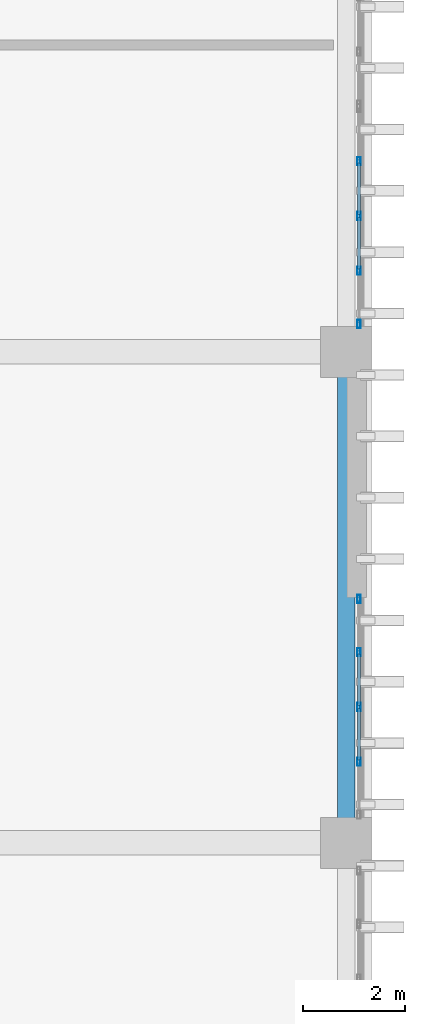
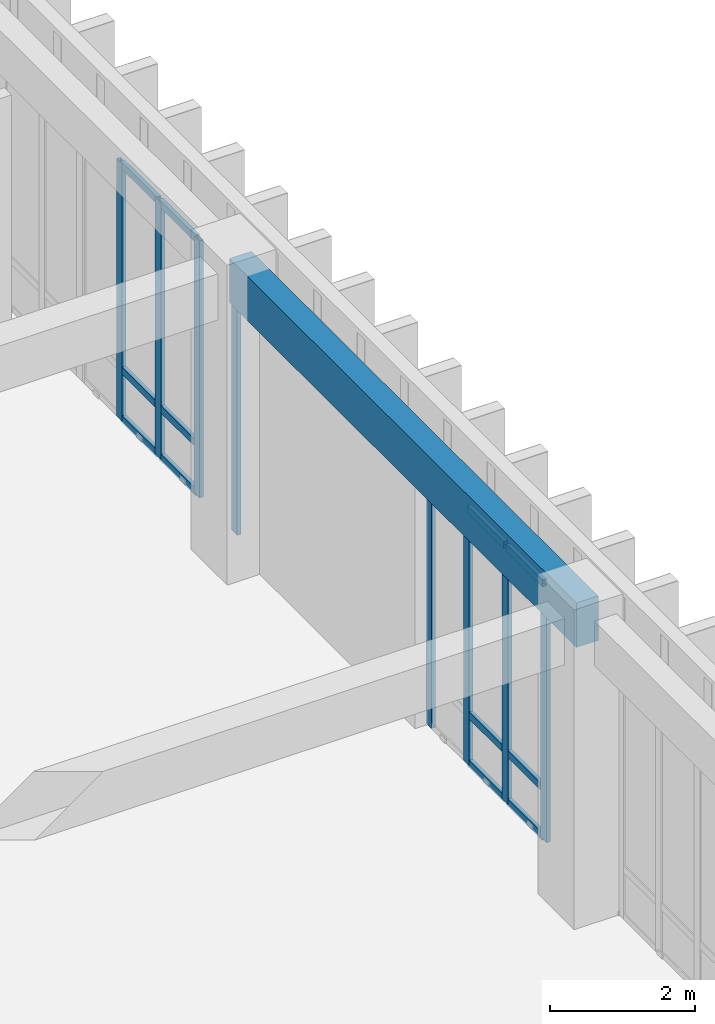
# One storey, part 74 of 134: 20 members, 1 beam, 2 elements without a shape of their own.
"""IFC4 building model written with IfcOpenShell, lengths in metres."""

from ifc_helpers import new_model, si_unit, direction, frame, origin, origin_2d, place, context, subcontext, project, spatial, rectangle, hollow_rectangle, extrude, material, layer, layer_set, material_profile, profile_set, type_object, element, aggregate, save


model = new_model("IFC4")

# Units and contexts
model_context = context("Model", 3, precision=1e-05, world=origin(), true_north=direction((0.0, 1.0)))
body_context = subcontext(model_context, "Body", "Model", "MODEL_VIEW")
ifc_project = project(units=[si_unit("LENGTHUNIT", "METRE"), si_unit("AREAUNIT", "SQUARE_METRE"), si_unit("VOLUMEUNIT", "CUBIC_METRE"), si_unit("PLANEANGLEUNIT", "RADIAN"), si_unit("MASSUNIT", "GRAM", prefix="KILO")], contexts=[model_context])

# Site, building, storey
site_placement = place(None, origin())
site = spatial("IfcSite", under=ifc_project, at=site_placement, CompositionType="ELEMENT")
building_placement = place(site_placement, origin())
building = spatial("IfcBuilding", under=site, at=building_placement, Name="Nakhvara Creek Congress Hotel", CompositionType="ELEMENT")
storey_placement = place(building_placement, frame((0.0, 0.0, 6.0)))
storey = spatial("IfcBuildingStorey", under=building, at=storey_placement, Name="L01", CompositionType="ELEMENT", Elevation=6.0)

# Beam
ifc_material_1 = material(Name="Concrete C40/50", Category="concrete")
ifc_material_profile_1 = material_profile(ifc_material_1, rectangle(XDim=0.35009765625, YDim=0.75, at=origin_2d()), Name="RC-SPANDREL 350x750", Category="LoadBearing")
ifc_profile_set_1 = profile_set([ifc_material_profile_1], Name="Concrete C40/50")
beam_type = type_object("IfcBeamType", Name="BM-SPN-350X750", PredefinedType="SPANDREL", material=ifc_profile_set_1)
beam_placement = place(storey_placement, frame((179.35009765625, 76.800048828125, 4.72509765625), z_axis=(0.0, 1.0, 0.0), x_axis=(-1.0, 0.0, 0.0)))
element("IfcBeam", 1, at=beam_placement, inside=storey, type_object=beam_type, Name="Beam SP1-L01-1357", PredefinedType="SPANDREL", context=body_context, shape_type="SweptSolid", body=[
    extrude(rectangle(XDim=0.35009765625, YDim=0.75, at=origin_2d()), origin(), (0.0, 0.0, 1.0), 9.599853515625),
])

# Curtain wall, members
ifc_material_2 = material(Name="Bronze-anodised aluminium AW-6063-T6 and double-silver low-E glass", Category="aluminium")
ifc_layer = layer(ifc_material_2, 0.199951171875)
ifc_layer_set = layer_set([ifc_layer], Name="Bronze-anodised aluminium AW-6063-T6 and double-silver low-E glass")
curtain_wall_type = type_object("IfcCurtainWallType", Name="CW-HTL-UNIT", PredefinedType="USERDEFINED", material=ifc_layer_set)
curtain_wall_1_placement = place(storey_placement, origin())
curtain_wall_1 = element("IfcCurtainWall", 2, at=curtain_wall_1_placement, inside=storey, type_object=curtain_wall_type, Name="Curtain Wall CW117", ObjectType="UNITISED", PredefinedType="USERDEFINED")
ifc_material_3 = material(Name="Bronze-anodised aluminium AW-6063-T6", Category="aluminium")
ifc_material_profile_2 = material_profile(ifc_material_3, hollow_rectangle(XDim=0.06494140625, YDim=0.159912109375, WallThickness=0.00390625, at=origin_2d()), Name="ALU-MULL 65x160x4", Category="LoadBearing")
ifc_profile_set_2 = profile_set([ifc_material_profile_2], Name="Bronze-anodised aluminium AW-6063-T6")
member_type_1 = type_object("IfcMemberType", Name="CW-MULL-160", PredefinedType="MULLION", material=ifc_profile_set_2)
member_1_placement = place(storey_placement, frame((179.60009765625, 81.5673828125, 0.0), z_axis=(0.0, 0.0, 1.0), x_axis=(1.0, 0.0, 0.0)))
member_1 = element("IfcMember", 3, at=member_1_placement, type_object=member_type_1, Name="CW117 mullion 1", PredefinedType="MULLION", context=body_context, shape_type="SweptSolid", body=[
    extrude(hollow_rectangle(XDim=0.06494140625, YDim=0.159912109375, WallThickness=0.00390625, at=origin_2d()), origin(), (0.0, 0.0, 1.0), 4.342041015625),
])
member_2_placement = place(storey_placement, frame((179.60009765625, 80.52880859375, 0.0), z_axis=(0.0, 0.0, 1.0), x_axis=(1.0, 0.0, 0.0)))
member_2 = element("IfcMember", 4, at=member_2_placement, type_object=member_type_1, Name="CW117 mullion 2", PredefinedType="MULLION", context=body_context, shape_type="SweptSolid", body=[
    extrude(hollow_rectangle(XDim=0.06494140625, YDim=0.159912109375, WallThickness=0.00390625, at=origin_2d()), origin(), (0.0, 0.0, 1.0), 4.342041015625),
])
member_3_placement = place(storey_placement, frame((179.60009765625, 79.45751953125, 0.0), z_axis=(0.0, 0.0, 1.0), x_axis=(1.0, 0.0, 0.0)))
member_3 = element("IfcMember", 5, at=member_3_placement, type_object=member_type_1, Name="CW117 mullion 3", PredefinedType="MULLION", context=body_context, shape_type="SweptSolid", body=[
    extrude(hollow_rectangle(XDim=0.06494140625, YDim=0.159912109375, WallThickness=0.00390625, at=origin_2d()), origin(), (0.0, 0.0, 1.0), 4.342041015625),
])
member_4_placement = place(storey_placement, frame((179.60009765625, 78.38623046875, 0.0), z_axis=(0.0, 0.0, 1.0), x_axis=(1.0, 0.0, 0.0)))
member_4 = element("IfcMember", 6, at=member_4_placement, type_object=member_type_1, Name="CW117 mullion 4", PredefinedType="MULLION", context=body_context, shape_type="SweptSolid", body=[
    extrude(hollow_rectangle(XDim=0.06494140625, YDim=0.159912109375, WallThickness=0.00390625, at=origin_2d()), origin(), (0.0, 0.0, 1.0), 4.342041015625),
])

curtain_wall_2_placement = place(storey_placement, origin())
curtain_wall_2 = element("IfcCurtainWall", 7, at=curtain_wall_2_placement, inside=storey, type_object=curtain_wall_type, Name="Curtain Wall CW118", ObjectType="UNITISED", PredefinedType="USERDEFINED")
member_5_placement = place(storey_placement, frame((179.60009765625, 90.128662109375, 0.0), z_axis=(0.0, 0.0, 1.0), x_axis=(1.0, 0.0, 0.0)))
member_5 = element("IfcMember", 8, at=member_5_placement, type_object=member_type_1, Name="CW118 mullion 2", PredefinedType="MULLION", context=body_context, shape_type="SweptSolid", body=[
    extrude(hollow_rectangle(XDim=0.06494140625, YDim=0.159912109375, WallThickness=0.00390625, at=origin_2d()), origin(), (0.0, 0.0, 1.0), 4.342041015625),
])
member_6_placement = place(storey_placement, frame((179.60009765625, 89.0576171875, 0.0), z_axis=(0.0, 0.0, 1.0), x_axis=(1.0, 0.0, 0.0)))
member_6 = element("IfcMember", 9, at=member_6_placement, type_object=member_type_1, Name="CW118 mullion 3", PredefinedType="MULLION", context=body_context, shape_type="SweptSolid", body=[
    extrude(hollow_rectangle(XDim=0.06494140625, YDim=0.159912109375, WallThickness=0.00390625, at=origin_2d()), origin(), (0.0, 0.0, 1.0), 4.342041015625),
])
member_7_placement = place(storey_placement, frame((179.60009765625, 87.986328125, 0.0), z_axis=(0.0, 0.0, 1.0), x_axis=(1.0, 0.0, 0.0)))
member_7 = element("IfcMember", 10, at=member_7_placement, type_object=member_type_1, Name="CW118 mullion 4", PredefinedType="MULLION", context=body_context, shape_type="SweptSolid", body=[
    extrude(hollow_rectangle(XDim=0.06494140625, YDim=0.159912109375, WallThickness=0.00390625, at=origin_2d()), origin(), (0.0, 0.0, 1.0), 4.342041015625),
])
member_8_placement = place(storey_placement, frame((179.60009765625, 86.947509765625, 0.0), z_axis=(0.0, 0.0, 1.0), x_axis=(1.0, 0.0, 0.0)))
member_8 = element("IfcMember", 11, at=member_8_placement, type_object=member_type_1, Name="CW118 mullion 5", PredefinedType="MULLION", context=body_context, shape_type="SweptSolid", body=[
    extrude(hollow_rectangle(XDim=0.06494140625, YDim=0.159912109375, WallThickness=0.00390625, at=origin_2d()), origin(), (0.0, 0.0, 1.0), 4.342041015625),
])

# Member
ifc_material_profile_3 = material_profile(ifc_material_3, hollow_rectangle(XDim=0.06494140625, YDim=0.1201171875, WallThickness=0.00390625, at=origin_2d()), Name="ALU-TRAN 65x120x4", Category="LoadBearing")
ifc_profile_set_3 = profile_set([ifc_material_profile_3], Name="Bronze-anodised aluminium AW-6063-T6")
member_type_2 = type_object("IfcMemberType", Name="CW-TRAN-120", PredefinedType="USERDEFINED", material=ifc_profile_set_3)
member_9_placement = place(storey_placement, frame((179.60009765625, 80.496337890625, 0.032470703125), z_axis=(0.0, -1.0, 0.0), x_axis=(1.0, 0.0, 0.0)))
member_9 = element("IfcMember", 12, at=member_9_placement, type_object=member_type_2, Name="CW117 transom 2.1", ObjectType="TRANSOM", PredefinedType="USERDEFINED", context=body_context, shape_type="SweptSolid", body=[
    extrude(hollow_rectangle(XDim=0.06494140625, YDim=0.1201171875, WallThickness=0.00390625, at=origin_2d()), origin(), (0.0, 0.0, 1.0), 1.00634765625),
])

member_10_placement = place(storey_placement, frame((179.60009765625, 80.496337890625, 0.85009765625), z_axis=(0.0, -1.0, 0.0), x_axis=(1.0, 0.0, 0.0)))
member_10 = element("IfcMember", 13, at=member_10_placement, type_object=member_type_2, Name="CW117 transom 2.2", ObjectType="TRANSOM", PredefinedType="USERDEFINED", context=body_context, shape_type="SweptSolid", body=[
    extrude(hollow_rectangle(XDim=0.06494140625, YDim=0.1201171875, WallThickness=0.00390625, at=origin_2d()), origin(), (0.0, 0.0, 1.0), 1.00634765625),
])

member_11_placement = place(storey_placement, frame((179.60009765625, 80.496337890625, 4.3095703125), z_axis=(0.0, -1.0, 0.0), x_axis=(1.0, 0.0, 0.0)))
member_11 = element("IfcMember", 14, at=member_11_placement, type_object=member_type_2, Name="CW117 transom 2.3", ObjectType="TRANSOM", PredefinedType="USERDEFINED", context=body_context, shape_type="SweptSolid", body=[
    extrude(hollow_rectangle(XDim=0.06494140625, YDim=0.1201171875, WallThickness=0.00390625, at=origin_2d()), origin(), (0.0, 0.0, 1.0), 1.00634765625),
])

member_12_placement = place(storey_placement, frame((179.60009765625, 79.425048828125, 0.032470703125), z_axis=(0.0, -1.0, 0.0), x_axis=(1.0, 0.0, 0.0)))
member_12 = element("IfcMember", 15, at=member_12_placement, type_object=member_type_2, Name="CW117 transom 3.1", ObjectType="TRANSOM", PredefinedType="USERDEFINED", context=body_context, shape_type="SweptSolid", body=[
    extrude(hollow_rectangle(XDim=0.06494140625, YDim=0.1201171875, WallThickness=0.00390625, at=origin_2d()), origin(), (0.0, 0.0, 1.0), 1.00634765625),
])

member_13_placement = place(storey_placement, frame((179.60009765625, 79.425048828125, 0.85009765625), z_axis=(0.0, -1.0, 0.0), x_axis=(1.0, 0.0, 0.0)))
member_13 = element("IfcMember", 16, at=member_13_placement, type_object=member_type_2, Name="CW117 transom 3.2", ObjectType="TRANSOM", PredefinedType="USERDEFINED", context=body_context, shape_type="SweptSolid", body=[
    extrude(hollow_rectangle(XDim=0.06494140625, YDim=0.1201171875, WallThickness=0.00390625, at=origin_2d()), origin(), (0.0, 0.0, 1.0), 1.00634765625),
])

member_14_placement = place(storey_placement, frame((179.60009765625, 79.425048828125, 4.3095703125), z_axis=(0.0, -1.0, 0.0), x_axis=(1.0, 0.0, 0.0)))
member_14 = element("IfcMember", 17, at=member_14_placement, type_object=member_type_2, Name="CW117 transom 3.3", ObjectType="TRANSOM", PredefinedType="USERDEFINED", context=body_context, shape_type="SweptSolid", body=[
    extrude(hollow_rectangle(XDim=0.06494140625, YDim=0.1201171875, WallThickness=0.00390625, at=origin_2d()), origin(), (0.0, 0.0, 1.0), 1.00634765625),
])

aggregate(curtain_wall_1, [member_1, member_2, member_3, member_4, member_9, member_10, member_11, member_12, member_13, member_14])

member_15_placement = place(storey_placement, frame((179.60009765625, 90.09619140625, 0.032470703125), z_axis=(0.0, -1.0, 0.0), x_axis=(1.0, 0.0, 0.0)))
member_15 = element("IfcMember", 18, at=member_15_placement, type_object=member_type_2, Name="CW118 transom 2.1", ObjectType="TRANSOM", PredefinedType="USERDEFINED", context=body_context, shape_type="SweptSolid", body=[
    extrude(hollow_rectangle(XDim=0.06494140625, YDim=0.1201171875, WallThickness=0.00390625, at=origin_2d()), origin(), (0.0, 0.0, 1.0), 1.006103515625),
])

member_16_placement = place(storey_placement, frame((179.60009765625, 90.09619140625, 0.85009765625), z_axis=(0.0, -1.0, 0.0), x_axis=(1.0, 0.0, 0.0)))
member_16 = element("IfcMember", 19, at=member_16_placement, type_object=member_type_2, Name="CW118 transom 2.2", ObjectType="TRANSOM", PredefinedType="USERDEFINED", context=body_context, shape_type="SweptSolid", body=[
    extrude(hollow_rectangle(XDim=0.06494140625, YDim=0.1201171875, WallThickness=0.00390625, at=origin_2d()), origin(), (0.0, 0.0, 1.0), 1.006103515625),
])

member_17_placement = place(storey_placement, frame((179.60009765625, 90.09619140625, 4.3095703125), z_axis=(0.0, -1.0, 0.0), x_axis=(1.0, 0.0, 0.0)))
member_17 = element("IfcMember", 20, at=member_17_placement, type_object=member_type_2, Name="CW118 transom 2.3", ObjectType="TRANSOM", PredefinedType="USERDEFINED", context=body_context, shape_type="SweptSolid", body=[
    extrude(hollow_rectangle(XDim=0.06494140625, YDim=0.1201171875, WallThickness=0.00390625, at=origin_2d()), origin(), (0.0, 0.0, 1.0), 1.006103515625),
])

member_18_placement = place(storey_placement, frame((179.60009765625, 89.02490234375, 0.032470703125), z_axis=(0.0, -1.0, 0.0), x_axis=(1.0, 0.0, 0.0)))
member_18 = element("IfcMember", 21, at=member_18_placement, type_object=member_type_2, Name="CW118 transom 3.1", ObjectType="TRANSOM", PredefinedType="USERDEFINED", context=body_context, shape_type="SweptSolid", body=[
    extrude(hollow_rectangle(XDim=0.06494140625, YDim=0.1201171875, WallThickness=0.00390625, at=origin_2d()), origin(), (0.0, 0.0, 1.0), 1.006103515625),
])

member_19_placement = place(storey_placement, frame((179.60009765625, 89.02490234375, 0.85009765625), z_axis=(0.0, -1.0, 0.0), x_axis=(1.0, 0.0, 0.0)))
member_19 = element("IfcMember", 22, at=member_19_placement, type_object=member_type_2, Name="CW118 transom 3.2", ObjectType="TRANSOM", PredefinedType="USERDEFINED", context=body_context, shape_type="SweptSolid", body=[
    extrude(hollow_rectangle(XDim=0.06494140625, YDim=0.1201171875, WallThickness=0.00390625, at=origin_2d()), origin(), (0.0, 0.0, 1.0), 1.006103515625),
])

member_20_placement = place(storey_placement, frame((179.60009765625, 89.02490234375, 4.3095703125), z_axis=(0.0, -1.0, 0.0), x_axis=(1.0, 0.0, 0.0)))
member_20 = element("IfcMember", 23, at=member_20_placement, type_object=member_type_2, Name="CW118 transom 3.3", ObjectType="TRANSOM", PredefinedType="USERDEFINED", context=body_context, shape_type="SweptSolid", body=[
    extrude(hollow_rectangle(XDim=0.06494140625, YDim=0.1201171875, WallThickness=0.00390625, at=origin_2d()), origin(), (0.0, 0.0, 1.0), 1.006103515625),
])

aggregate(curtain_wall_2, [member_5, member_6, member_7, member_8, member_15, member_16, member_17, member_18, member_19, member_20])

save(model, "model.ifc")
